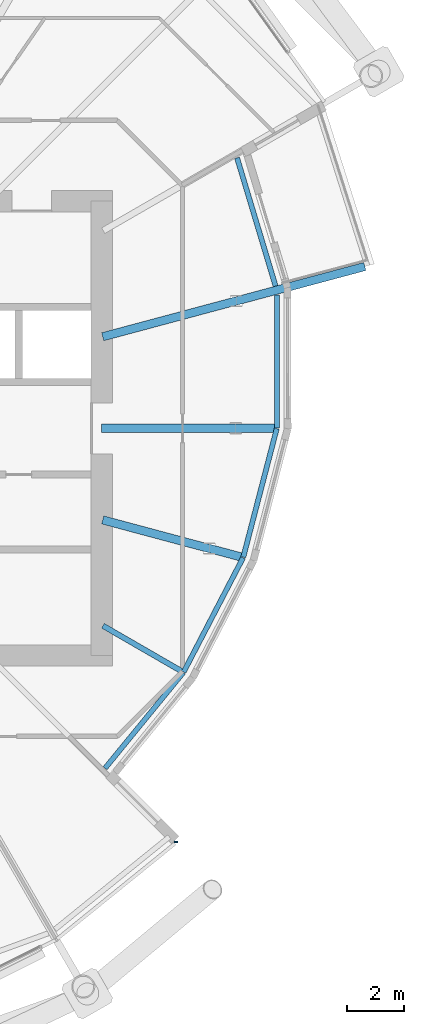
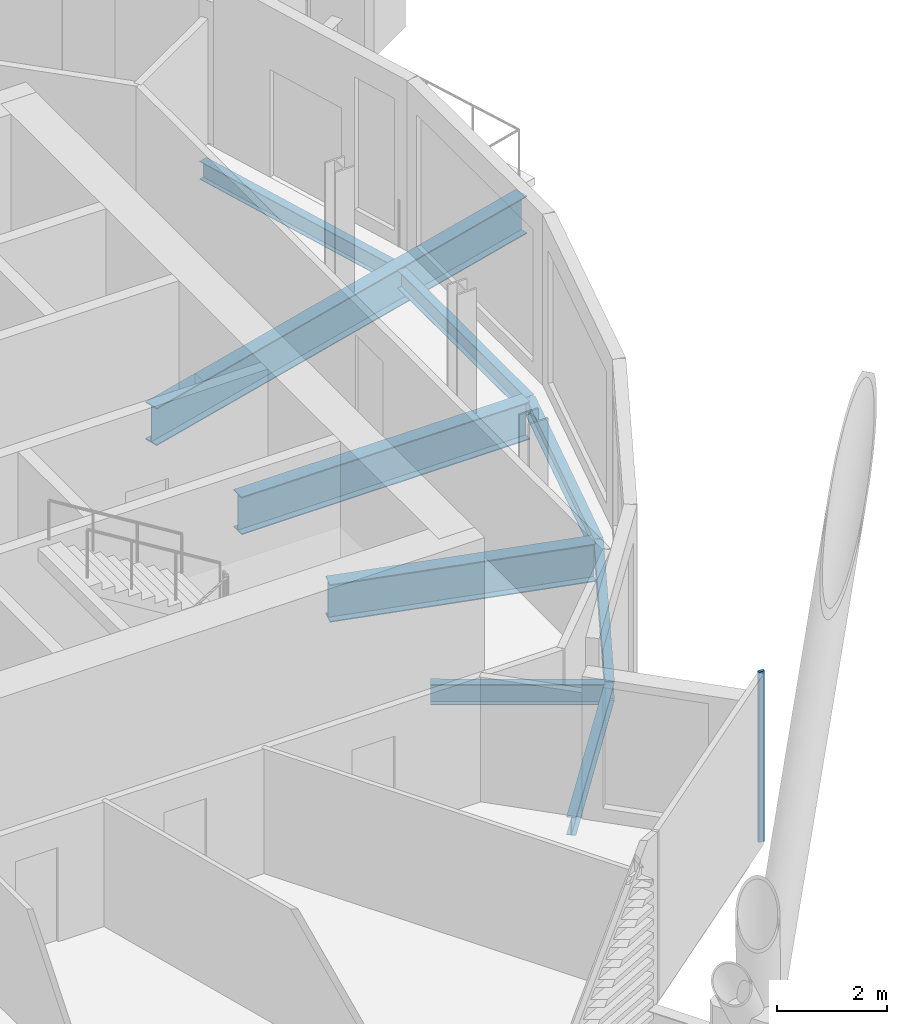
# One storey, part 20 of 39: 9 beams, 1 member, 1 element without a shape of its own.
"""IFC4 building model written with IfcOpenShell, lengths in metres."""

from ifc_helpers import new_model, si_unit, direction, frame, origin, origin_2d, place, context, subcontext, project, spatial, rectangle, i_section, extrude, material, material_profile, profile_set, type_object, element, aggregate, save


model = new_model("IFC4")

# Units and contexts
model_context = context("Model", 3, precision=1e-05, world=origin(), true_north=direction((0.0, 1.0)))
body_context = subcontext(model_context, "Body", "Model", "MODEL_VIEW")
ifc_project = project(units=[si_unit("LENGTHUNIT", "METRE"), si_unit("AREAUNIT", "SQUARE_METRE"), si_unit("VOLUMEUNIT", "CUBIC_METRE"), si_unit("PLANEANGLEUNIT", "RADIAN"), si_unit("MASSUNIT", "GRAM", prefix="KILO")], contexts=[model_context])

# Site, building, storey
site_placement = place(None, origin())
site = spatial("IfcSite", under=ifc_project, at=site_placement, CompositionType="ELEMENT")
building_placement = place(site_placement, origin())
building = spatial("IfcBuilding", under=site, at=building_placement, Name="Rimbun Link Towers", CompositionType="ELEMENT")
storey_placement = place(building_placement, frame((0.0, 0.0, 115.800048828125)))
storey = spatial("IfcBuildingStorey", under=building, at=storey_placement, Name="L28", CompositionType="ELEMENT", Elevation=115.800048828125)

# Curtain wall, member
ifc_material_1 = material(Name="Aluminium 6063-T6 and low-iron glass", Category="aluminium")
curtain_wall_type = type_object("IfcCurtainWallType", Name="CW1-Z2 unitised vision wall (zone 2)", PredefinedType="NOTDEFINED", material=ifc_material_1)
curtain_wall_placement = place(storey_placement, origin())
curtain_wall = element("IfcCurtainWall", 1, at=curtain_wall_placement, inside=storey, type_object=curtain_wall_type, Name="CW1 L28 T2", PredefinedType="NOTDEFINED")
ifc_material_2 = material(Name="Aluminium 6063-T6", Category="aluminium")
ifc_material_profile_1 = material_profile(ifc_material_2, rectangle(XDim=0.1201171875, YDim=0.06005859375, at=origin_2d()), Name="MULLION 60X120")
ifc_profile_set_1 = profile_set([ifc_material_profile_1], Name="Aluminium 6063-T6")
member_type = type_object("IfcMemberType", Name="CW1 mullion 60X120", PredefinedType="MULLION", material=ifc_profile_set_1)
member_placement = place(storey_placement, frame((46.375732421875, -14.56884765625, 0.0), z_axis=(0.0, 0.0, 1.0), x_axis=(0.998624070401, -0.052440118373, 0.0)))
member = element("IfcMember", 2, at=member_placement, type_object=member_type, Name="CW1 mullion", PredefinedType="MULLION", context=body_context, shape_type="SweptSolid", body=[
    extrude(rectangle(XDim=0.1201171875, YDim=0.06005859375, at=origin_2d()), origin(), (0.0, 0.0, 1.0), 3.800048828125),
])
aggregate(curtain_wall, [member])

# Beams
ifc_material_3 = material(Name="Steel S355J2", Category="steel")
ifc_material_profile_2 = material_profile(ifc_material_3, i_section(OverallWidth=0.177978515625, OverallDepth=0.406494140625, WebThickness=0.0078125, FlangeThickness=0.0126953125, at=origin_2d()), Name="UB 406x178x60")
ifc_profile_set_2 = profile_set([ifc_material_profile_2], Name="Steel S355J2")
beam_type_1 = type_object("IfcBeamType", Name="UB 406x178x60", PredefinedType="BEAM", material=ifc_profile_set_2)
beam_1_placement = place(storey_placement, frame((43.871337890625, -11.97314453125, -0.36328125), z_axis=(0.632999655287, 0.774152075762, 0.0), x_axis=(-0.774152075762, 0.632999655287, 0.0)))
element("IfcBeam", 3, at=beam_1_placement, inside=storey, type_object=beam_type_1, Name="Edge beam T2 L28 18 recess", PredefinedType="BEAM", context=body_context, shape_type="SweptSolid", body=[
    extrude(i_section(OverallWidth=0.177978515625, OverallDepth=0.406494140625, WebThickness=0.0078125, FlangeThickness=0.0126953125, at=origin_2d()), origin(), (0.0, 0.0, 1.0), 4.355224609375),
])
beam_2_placement = place(storey_placement, frame((46.63916015625, -8.58447265625, -0.36328125), z_axis=(0.461434099946, 0.887174487576, 0.0), x_axis=(-0.887174487576, 0.461434099946, 0.0)))
element("IfcBeam", 4, at=beam_2_placement, inside=storey, type_object=beam_type_1, Name="Edge beam T2 L28 19 recess", PredefinedType="BEAM", context=body_context, shape_type="SweptSolid", body=[
    extrude(i_section(OverallWidth=0.177978515625, OverallDepth=0.406494140625, WebThickness=0.0078125, FlangeThickness=0.0126953125, at=origin_2d()), origin(), (0.0, 0.0, 1.0), 4.534912109375),
])
for number, where, z_axis, x_axis, name in (
    (5, (48.739501953125, -4.541015625, -0.36328125), (0.252012028288, 0.967724102003, 0.0), (-0.967724102003, 0.252012028288, 0.0), "Edge beam T2 L28 20 recess"),
    (6, (49.922119140625, 0.012451171875, -0.36328125), (-0.000260824196, 0.999999965985, 0.0), (-0.999999965985, -0.000260824196, 0.0), "Edge beam T2 L28 21 recess"),
):
    element("IfcBeam", number, at=place(storey_placement, frame(where, z_axis=z_axis, x_axis=x_axis)), inside=storey, type_object=beam_type_1, Name=name, PredefinedType="BEAM", context=body_context, shape_type="SweptSolid", body=[
        extrude(i_section(OverallWidth=0.177978515625, OverallDepth=0.406494140625, WebThickness=0.0078125, FlangeThickness=0.0126953125, at=origin_2d()), origin(), (0.0, 0.0, 1.0), 4.68017578125),
    ])
beam_3_placement = place(storey_placement, frame((49.877685546875, 5.012451171875, -0.36328125), z_axis=(-0.287699475404, 0.957720737925, 0.0), x_axis=(-0.957720737925, -0.287699475404, 0.0)))
element("IfcBeam", 7, at=beam_3_placement, inside=storey, type_object=beam_type_1, Name="Edge beam T2 L28 22 recess", PredefinedType="BEAM", context=body_context, shape_type="SweptSolid", body=[
    extrude(i_section(OverallWidth=0.177978515625, OverallDepth=0.406494140625, WebThickness=0.0078125, FlangeThickness=0.0126953125, at=origin_2d()), origin(), (0.0, 0.0, 1.0), 4.7138671875),
])
ifc_material_4 = material(Name="Steel S355J2", Category="steel")
ifc_material_profile_3 = material_profile(ifc_material_4, i_section(OverallWidth=0.18994140625, OverallDepth=0.453369140625, WebThickness=0.008544921875, FlangeThickness=0.0126953125, at=origin_2d()), Name="UB 457x191x67")
ifc_profile_set_3 = profile_set([ifc_material_profile_3], Name="Steel S355J2")
beam_type_2 = type_object("IfcBeamType", Name="UB 457x191x67", PredefinedType="BEAM", material=ifc_profile_set_3)
beam_4_placement = place(storey_placement, frame((43.79833984375, -6.9560546875, -0.38671875), z_axis=(0.866003030001, -0.500038750527, 0.0), x_axis=(0.500038750527, 0.866003030001, 0.0)))
element("IfcBeam", 8, at=beam_4_placement, inside=storey, type_object=beam_type_2, Name="Radial beam T2 L28 19", PredefinedType="BEAM", context=body_context, shape_type="SweptSolid", body=[
    extrude(i_section(OverallWidth=0.18994140625, OverallDepth=0.453369140625, WebThickness=0.008544921875, FlangeThickness=0.0126953125, at=origin_2d()), origin(), (0.0, 0.0, 1.0), 3.184814453125),
])
ifc_material_5 = material(Name="Steel S355J2", Category="steel")
ifc_material_profile_4 = material_profile(ifc_material_5, i_section(OverallWidth=0.29248046875, OverallDepth=0.8408203125, WebThickness=0.0126953125, FlangeThickness=0.021728515625, at=origin_2d()), Name="UB 838x292x194")
ifc_profile_set_4 = profile_set([ifc_material_profile_4], Name="Steel S355J2")
beam_type_3 = type_object("IfcBeamType", Name="UB 838x292x194", PredefinedType="BEAM", material=ifc_profile_set_4)
beam_5_placement = place(storey_placement, frame((43.788818359375, -3.225830078125, -0.580322265625), z_axis=(0.965920980166, -0.258837130403, 0.0), x_axis=(0.258837130403, 0.965920980166, 0.0)))
element("IfcBeam", 9, at=beam_5_placement, inside=storey, type_object=beam_type_3, Name="Radial beam T2 L28 20", PredefinedType="BEAM", context=body_context, shape_type="SweptSolid", body=[
    extrude(i_section(OverallWidth=0.29248046875, OverallDepth=0.8408203125, WebThickness=0.0126953125, FlangeThickness=0.021728515625, at=origin_2d()), origin(), (0.0, 0.0, 1.0), 5.031982421875),
])
beam_6_placement = place(storey_placement, frame((43.7509765625, 0.0, -0.580322265625), z_axis=(1.0, 0.0, 0.0), x_axis=(0.0, 1.0, 0.0)))
element("IfcBeam", 10, at=beam_6_placement, inside=storey, type_object=beam_type_3, Name="Radial beam T2 L28 21", PredefinedType="BEAM", context=body_context, shape_type="SweptSolid", body=[
    extrude(i_section(OverallWidth=0.29248046875, OverallDepth=0.8408203125, WebThickness=0.0126953125, FlangeThickness=0.021728515625, at=origin_2d()), origin(), (0.0, 0.0, 1.0), 6.080322265625),
])
beam_7_placement = place(storey_placement, frame((43.788818359375, 3.225830078125, -0.580322265625), z_axis=(0.965928216399, 0.258810124927, 0.0), x_axis=(-0.258810124927, 0.965928216399, 0.0)))
element("IfcBeam", 11, at=beam_7_placement, inside=storey, type_object=beam_type_3, Name="Radial beam T2 L28 22", PredefinedType="BEAM", context=body_context, shape_type="SweptSolid", body=[
    extrude(i_section(OverallWidth=0.29248046875, OverallDepth=0.8408203125, WebThickness=0.0126953125, FlangeThickness=0.021728515625, at=origin_2d()), origin(), (0.0, 0.0, 1.0), 9.5595703125),
])

save(model, "model.ifc")
